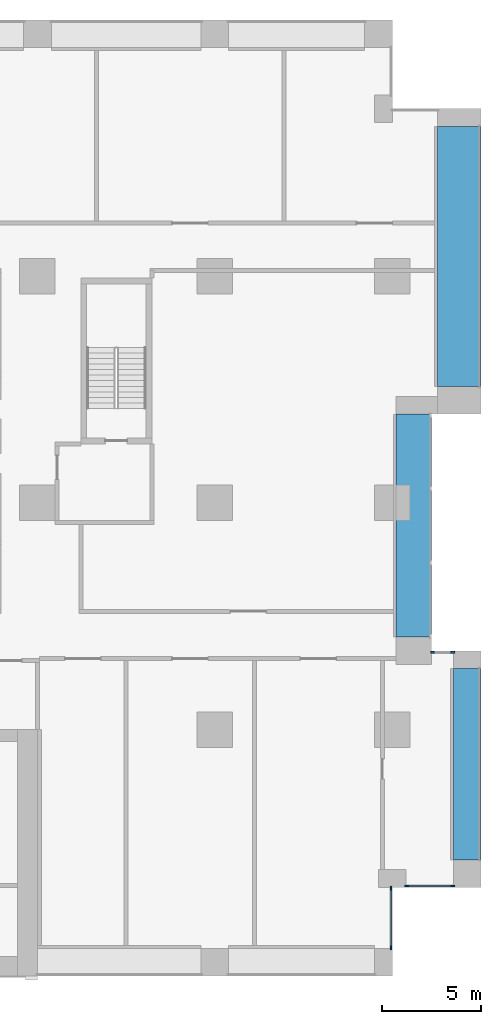
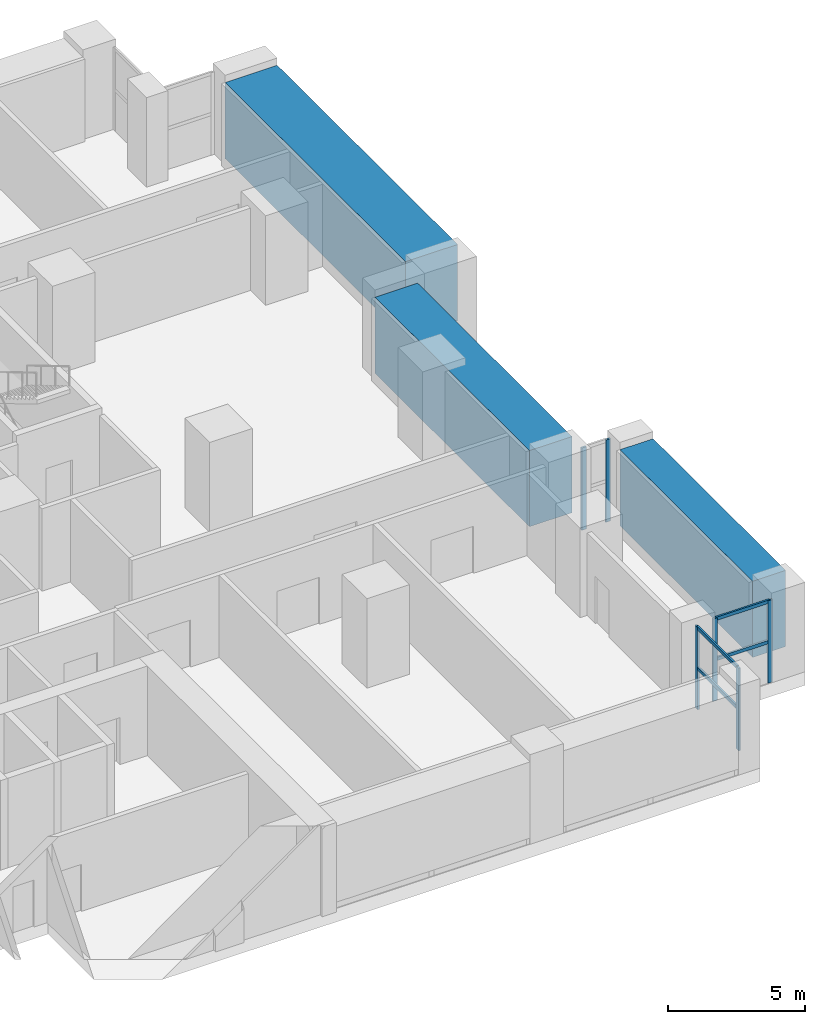
# One storey, part 10 of 24: 10 members, 3 beams, 3 elements without a shape of their own.
"""IFC4 building model written with IfcOpenShell, lengths in metres."""

from ifc_helpers import new_model, si_unit, direction, frame, origin, origin_2d, place, context, subcontext, project, spatial, rectangle, extrude, material, layer, layer_set, material_profile, profile_set, type_object, element, aggregate, save


model = new_model("IFC4")

# Units and contexts
model_context = context("Model", 3, precision=1e-05, world=origin(), true_north=direction((0.0, 1.0)))
body_context = subcontext(model_context, "Body", "Model", "MODEL_VIEW")
ifc_project = project(units=[si_unit("LENGTHUNIT", "METRE"), si_unit("AREAUNIT", "SQUARE_METRE"), si_unit("VOLUMEUNIT", "CUBIC_METRE"), si_unit("PLANEANGLEUNIT", "RADIAN"), si_unit("MASSUNIT", "GRAM", prefix="KILO")], contexts=[model_context])

# Site, building, storey
site_placement = place(None, origin())
site = spatial("IfcSite", under=ifc_project, at=site_placement, CompositionType="ELEMENT")
building_placement = place(site_placement, origin())
building = spatial("IfcBuilding", under=site, at=building_placement, Name="Brigalow Station Residences", CompositionType="ELEMENT")
storey_placement = place(building_placement, frame((0.0, 0.0, 15.5)))
storey = spatial("IfcBuildingStorey", under=building, at=storey_placement, Name="L03", CompositionType="ELEMENT", Elevation=15.5)

# Curtain wall, members
ifc_material_1 = material(Name="Aluminium", Category="aluminium")
ifc_layer = layer(ifc_material_1, 0.199951171875)
ifc_layer_set = layer_set([ifc_layer], Name="REFUGE FLOOR LOUVRE CURTAIN WALL")
curtain_wall_type = type_object("IfcCurtainWallType", Name="REFUGE FLOOR LOUVRE CURTAIN WALL", PredefinedType="NOTDEFINED", material=ifc_layer_set)
curtain_wall_1_placement = place(storey_placement, origin())
curtain_wall_1 = element("IfcCurtainWall", 1, at=curtain_wall_1_placement, inside=storey, type_object=curtain_wall_type, Name="L03/cw/louvre-W-L03-9-2", PredefinedType="NOTDEFINED")
ifc_material_2 = material(Name="Aluminium", Category="aluminium")
ifc_material_profile_1 = material_profile(ifc_material_2, rectangle(XDim=0.080078125, YDim=0.199951171875, at=origin_2d()), Name="REFUGE FLOOR LOUVRE MULLION 80x200")
ifc_profile_set_1 = profile_set([ifc_material_profile_1], Name="Aluminium")
member_type_1 = type_object("IfcMemberType", Name="REFUGE FLOOR LOUVRE MULLION 80x200", PredefinedType="MULLION", material=ifc_profile_set_1)
member_1_placement = place(storey_placement, frame((71.925048828125, 1.43994140625, 0.0), z_axis=(0.0, 0.0, 1.0), x_axis=(-1.0, 0.0, 0.0)))
member_1 = element("IfcMember", 2, at=member_1_placement, type_object=member_type_1, Name="L03/cw/louvre-W-L03-9-2/M00", PredefinedType="MULLION", context=body_context, shape_type="SweptSolid", body=[
    extrude(rectangle(XDim=0.080078125, YDim=0.199951171875, at=origin_2d()), origin(), (0.0, 0.0, 1.0), 3.679931640625),
])
member_2_placement = place(storey_placement, frame((71.925048828125, 4.4599609375, 0.0), z_axis=(0.0, 0.0, 1.0), x_axis=(-1.0, 0.0, 0.0)))
member_2 = element("IfcMember", 3, at=member_2_placement, type_object=member_type_1, Name="L03/cw/louvre-W-L03-9-2/M01", PredefinedType="MULLION", context=body_context, shape_type="SweptSolid", body=[
    extrude(rectangle(XDim=0.080078125, YDim=0.199951171875, at=origin_2d()), origin(), (0.0, 0.0, 1.0), 3.679931640625),
])

curtain_wall_2_placement = place(storey_placement, origin())
curtain_wall_2 = element("IfcCurtainWall", 4, at=curtain_wall_2_placement, inside=storey, type_object=curtain_wall_type, Name="L03/cw/louvre-W-L03-10-3", PredefinedType="NOTDEFINED")
member_3_placement = place(storey_placement, frame((72.739990234375, 4.574951171875, 0.0), z_axis=(0.0, 0.0, 1.0), x_axis=(0.0, 1.0, 0.0)))
member_3 = element("IfcMember", 5, at=member_3_placement, type_object=member_type_1, Name="L03/cw/louvre-W-L03-10-3/M00", PredefinedType="MULLION", context=body_context, shape_type="SweptSolid", body=[
    extrude(rectangle(XDim=0.080078125, YDim=0.199951171875, at=origin_2d()), origin(), (0.0, 0.0, 1.0), 3.679931640625),
])
member_4_placement = place(storey_placement, frame((75.06005859375, 4.574951171875, 0.0), z_axis=(0.0, 0.0, 1.0), x_axis=(0.0, 1.0, 0.0)))
member_4 = element("IfcMember", 6, at=member_4_placement, type_object=member_type_1, Name="L03/cw/louvre-W-L03-10-3/M01", PredefinedType="MULLION", context=body_context, shape_type="SweptSolid", body=[
    extrude(rectangle(XDim=0.080078125, YDim=0.199951171875, at=origin_2d()), origin(), (0.0, 0.0, 1.0), 3.679931640625),
])

curtain_wall_3_placement = place(storey_placement, origin())
curtain_wall_3 = element("IfcCurtainWall", 7, at=curtain_wall_3_placement, inside=storey, type_object=curtain_wall_type, Name="L03/cw/louvre-W-L03-14-4", PredefinedType="NOTDEFINED")
member_5_placement = place(storey_placement, frame((75.06005859375, 16.425048828125, 0.0), z_axis=(0.0, 0.0, 1.0), x_axis=(0.0, -1.0, 0.0)))
member_5 = element("IfcMember", 8, at=member_5_placement, type_object=member_type_1, Name="L03/cw/louvre-W-L03-14-4/M00", PredefinedType="MULLION", context=body_context, shape_type="SweptSolid", body=[
    extrude(rectangle(XDim=0.080078125, YDim=0.199951171875, at=origin_2d()), origin(), (0.0, 0.0, 1.0), 3.679931640625),
])
member_6_placement = place(storey_placement, frame((74.0400390625, 16.425048828125, 0.0), z_axis=(0.0, 0.0, 1.0), x_axis=(0.0, -1.0, 0.0)))
member_6 = element("IfcMember", 9, at=member_6_placement, type_object=member_type_1, Name="L03/cw/louvre-W-L03-14-4/M01", PredefinedType="MULLION", context=body_context, shape_type="SweptSolid", body=[
    extrude(rectangle(XDim=0.080078125, YDim=0.199951171875, at=origin_2d()), origin(), (0.0, 0.0, 1.0), 3.679931640625),
])
aggregate(curtain_wall_3, [member_5, member_6])

# Member
ifc_material_3 = material(Name="Aluminium", Category="aluminium")
ifc_material_profile_2 = material_profile(ifc_material_3, rectangle(XDim=0.080078125, YDim=0.14990234375, at=origin_2d()), Name="REFUGE FLOOR LOUVRE TRANSOM 80x150")
ifc_profile_set_2 = profile_set([ifc_material_profile_2], Name="Aluminium")
member_type_2 = type_object("IfcMemberType", Name="REFUGE FLOOR LOUVRE TRANSOM 80x150", PredefinedType="USERDEFINED", material=ifc_profile_set_2)
member_7_placement = place(storey_placement, frame((71.925048828125, 1.47998046875, 1.840087890625), z_axis=(0.0, 1.0, 0.0), x_axis=(-1.0, 0.0, 0.0)))
member_7 = element("IfcMember", 10, at=member_7_placement, type_object=member_type_2, Name="L03/cw/louvre-W-L03-9-2/T00-00", ObjectType="TRANSOM", PredefinedType="USERDEFINED", context=body_context, shape_type="SweptSolid", body=[
    extrude(rectangle(XDim=0.080078125, YDim=0.14990234375, at=origin_2d()), origin(), (0.0, 0.0, 1.0), 2.93994140625),
])

member_8_placement = place(storey_placement, frame((71.925048828125, 1.47998046875, 3.639892578125), z_axis=(0.0, 1.0, 0.0), x_axis=(-1.0, 0.0, 0.0)))
member_8 = element("IfcMember", 11, at=member_8_placement, type_object=member_type_2, Name="L03/cw/louvre-W-L03-9-2/T00-01", ObjectType="TRANSOM", PredefinedType="USERDEFINED", context=body_context, shape_type="SweptSolid", body=[
    extrude(rectangle(XDim=0.080078125, YDim=0.14990234375, at=origin_2d()), origin(), (0.0, 0.0, 1.0), 2.93994140625),
])

aggregate(curtain_wall_1, [member_1, member_2, member_7, member_8])

member_9_placement = place(storey_placement, frame((72.780029296875, 4.574951171875, 1.840087890625), z_axis=(1.0, 0.0, 0.0), x_axis=(0.0, 1.0, 0.0)))
member_9 = element("IfcMember", 12, at=member_9_placement, type_object=member_type_2, Name="L03/cw/louvre-W-L03-10-3/T00-00", ObjectType="TRANSOM", PredefinedType="USERDEFINED", context=body_context, shape_type="SweptSolid", body=[
    extrude(rectangle(XDim=0.080078125, YDim=0.14990234375, at=origin_2d()), origin(), (0.0, 0.0, 1.0), 2.239990234375),
])

member_10_placement = place(storey_placement, frame((72.780029296875, 4.574951171875, 3.639892578125), z_axis=(1.0, 0.0, 0.0), x_axis=(0.0, 1.0, 0.0)))
member_10 = element("IfcMember", 13, at=member_10_placement, type_object=member_type_2, Name="L03/cw/louvre-W-L03-10-3/T00-01", ObjectType="TRANSOM", PredefinedType="USERDEFINED", context=body_context, shape_type="SweptSolid", body=[
    extrude(rectangle(XDim=0.080078125, YDim=0.14990234375, at=origin_2d()), origin(), (0.0, 0.0, 1.0), 2.239990234375),
])

aggregate(curtain_wall_2, [member_3, member_4, member_9, member_10])

# Beams
ifc_material_4 = material(Name="Concrete C80", Category="concrete")
ifc_material_profile_3 = material_profile(ifc_material_4, rectangle(XDim=1.39990234375, YDim=3.39990234375, at=origin_2d()), Name="RC1400x3400")
ifc_profile_set_3 = profile_set([ifc_material_profile_3], Name="Concrete C80")
beam_type_1 = type_object("IfcBeamType", Name="TRANSFER GIRDER 1400x3400 C80", PredefinedType="USERDEFINED", material=ifc_profile_set_3)
beam_1_placement = place(storey_placement, frame((75.800048828125, 5.89990234375, 1.97998046875), z_axis=(0.0, 1.0, 0.0), x_axis=(-1.0, 0.0, 0.0)))
element("IfcBeam", 14, at=beam_1_placement, inside=storey, type_object=beam_type_1, Name="TRANSFER GIRDER E1-2 L03", ObjectType="TRANSFER GIRDER", PredefinedType="USERDEFINED", context=body_context, shape_type="SweptSolid", body=[
    extrude(rectangle(XDim=1.39990234375, YDim=3.39990234375, at=origin_2d()), origin(), (0.0, 0.0, 1.0), 9.7001953125),
])
ifc_material_5 = material(Name="Concrete C80", Category="concrete")
ifc_material_profile_4 = material_profile(ifc_material_5, rectangle(XDim=1.800048828125, YDim=3.39990234375, at=origin_2d()), Name="RC1800x3400")
ifc_profile_set_4 = profile_set([ifc_material_profile_4], Name="Concrete C80")
beam_type_2 = type_object("IfcBeamType", Name="TRANSFER GIRDER 9.9 TO 12 M SPAN 1800x3400 C80", PredefinedType="USERDEFINED", material=ifc_profile_set_4)
beam_2_placement = place(storey_placement, frame((73.10009765625, 17.199951171875, 1.97998046875), z_axis=(0.0, 1.0, 0.0), x_axis=(-1.0, 0.0, 0.0)))
element("IfcBeam", 15, at=beam_2_placement, inside=storey, type_object=beam_type_2, Name="TRANSFER GIRDER EL2-2 L03", ObjectType="TRANSFER GIRDER", PredefinedType="USERDEFINED", context=body_context, shape_type="SweptSolid", body=[
    extrude(rectangle(XDim=1.800048828125, YDim=3.39990234375, at=origin_2d()), origin(), (0.0, 0.0, 1.0), 11.300048828125),
])
ifc_material_6 = material(Name="Concrete C80", Category="concrete")
ifc_material_profile_5 = material_profile(ifc_material_6, rectangle(XDim=2.199951171875, YDim=3.39990234375, at=origin_2d()), Name="RC2200x3400")
ifc_profile_set_5 = profile_set([ifc_material_profile_5], Name="Concrete C80")
beam_type_3 = type_object("IfcBeamType", Name="TRANSFER GIRDER OVER 12 M SPAN 2200x3400 C80", PredefinedType="USERDEFINED", material=ifc_profile_set_5)
beam_3_placement = place(storey_placement, frame((75.39990234375, 29.89990234375, 1.97998046875), z_axis=(0.0, 1.0, 0.0), x_axis=(-1.0, 0.0, 0.0)))
element("IfcBeam", 16, at=beam_3_placement, inside=storey, type_object=beam_type_3, Name="TRANSFER GIRDER E2-2 L03", ObjectType="TRANSFER GIRDER", PredefinedType="USERDEFINED", context=body_context, shape_type="SweptSolid", body=[
    extrude(rectangle(XDim=2.199951171875, YDim=3.39990234375, at=origin_2d()), origin(), (0.0, 0.0, 1.0), 13.2001953125),
])

save(model, "model.ifc")
